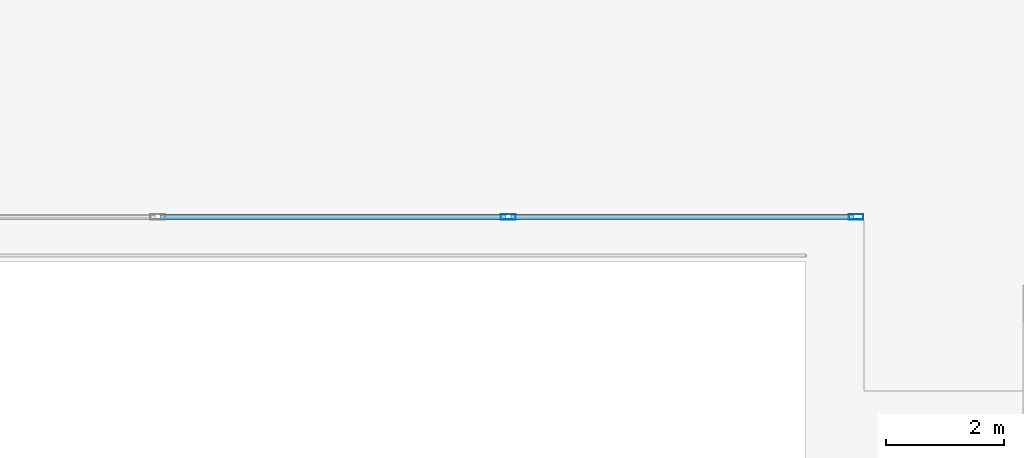
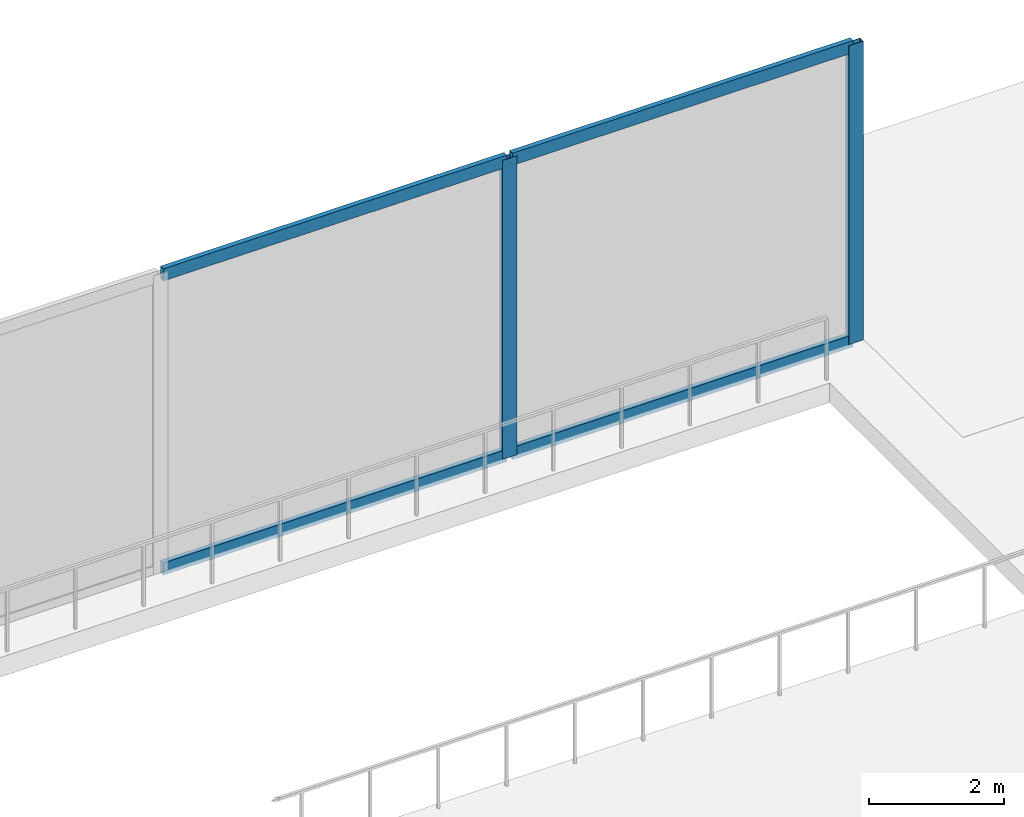
# One storey, part 16 of 27: 6 members, 1 element without a shape of its own.
"""IFC4 building model written with IfcOpenShell, lengths in metres."""

from ifc_helpers import new_model, si_unit, direction, frame, origin, origin_2d, place, context, subcontext, project, spatial, hollow_rectangle, extrude, material, layer, layer_set, material_profile, profile_set, type_object, element, aggregate, save


model = new_model("IFC4")

# Units and contexts
model_context = context("Model", 3, precision=1e-05, world=origin(), true_north=direction((0.0, 1.0)))
body_context = subcontext(model_context, "Body", "Model", "MODEL_VIEW")
ifc_project = project(units=[si_unit("LENGTHUNIT", "METRE"), si_unit("AREAUNIT", "SQUARE_METRE"), si_unit("VOLUMEUNIT", "CUBIC_METRE"), si_unit("PLANEANGLEUNIT", "RADIAN"), si_unit("MASSUNIT", "GRAM", prefix="KILO"), si_unit("THERMODYNAMICTEMPERATUREUNIT", "KELVIN"), si_unit("POWERUNIT", "WATT")], contexts=[model_context])

# Site, building, storey
site_placement = place(None, origin())
site = spatial("IfcSite", under=ifc_project, at=site_placement, CompositionType="ELEMENT")
building_placement = place(site_placement, origin())
building = spatial("IfcBuilding", under=site, at=building_placement, Name="Svarakhadi Broadcast Tower", CompositionType="ELEMENT")
storey_placement = place(building_placement, origin())
storey = spatial("IfcBuildingStorey", under=building, at=storey_placement, Name="L00", CompositionType="ELEMENT", Elevation=0.0)

# Curtain wall, members
ifc_material = material(Name="Anodised Bronze Aluminium AA 6063-T6", Category="aluminium")
ifc_layer = layer(ifc_material, 0.25)
ifc_layer_set = layer_set([ifc_layer], Name="Anodised Bronze Aluminium AA 6063-T6")
curtain_wall_type = type_object("IfcCurtainWallType", Name="CW_Sys_01", PredefinedType="NOTDEFINED", material=ifc_layer_set)
curtain_wall_placement = place(storey_placement, origin())
curtain_wall = element("IfcCurtainWall", 1, at=curtain_wall_placement, inside=storey, type_object=curtain_wall_type, Name="L00 Podium Glazed Curtain Wall 05", PredefinedType="NOTDEFINED")
ifc_material_profile_1 = material_profile(ifc_material, hollow_rectangle(XDim=0.094970703125, YDim=0.25, WallThickness=0.006103515625, at=origin_2d()), Name="ALU MULLION 250x95x6")
ifc_profile_set_1 = profile_set([ifc_material_profile_1], Name="Anodised Bronze Aluminium AA 6063-T6")
member_type_1 = type_object("IfcMemberType", Name="CW_Sys_01_Mul", PredefinedType="MULLION", material=ifc_profile_set_1)
member_1_placement = place(storey_placement, frame((53.946044921875, 47.9599609375, 0.0), z_axis=(0.0, 0.0, 1.0), x_axis=(0.0, 1.0, 0.0)))
member_1 = element("IfcMember", 2, at=member_1_placement, type_object=member_type_1, Name="CW-01 mullion 5", PredefinedType="MULLION", context=body_context, shape_type="SweptSolid", body=[
    extrude(hollow_rectangle(XDim=0.094970703125, YDim=0.25, WallThickness=0.006103515625, at=origin_2d()), origin(), (0.0, 0.0, 1.0), 5.39990234375),
])
member_2_placement = place(storey_placement, frame((59.862548828125, 47.9599609375, 0.0), z_axis=(0.0, 0.0, 1.0), x_axis=(0.0, 1.0, 0.0)))
member_2 = element("IfcMember", 3, at=member_2_placement, type_object=member_type_1, Name="CW-01 mullion 6", PredefinedType="MULLION", context=body_context, shape_type="SweptSolid", body=[
    extrude(hollow_rectangle(XDim=0.094970703125, YDim=0.25, WallThickness=0.006103515625, at=origin_2d()), origin(), (0.0, 0.0, 1.0), 5.39990234375),
])
ifc_material_profile_2 = material_profile(ifc_material, hollow_rectangle(XDim=0.0849609375, YDim=0.219970703125, WallThickness=0.0048828125, at=origin_2d()), Name="ALU TRANSOM 220x85x5")
ifc_profile_set_2 = profile_set([ifc_material_profile_2], Name="Anodised Bronze Aluminium AA 6063-T6")
member_type_2 = type_object("IfcMemberType", Name="CW_Sys_01_Trn", PredefinedType="USERDEFINED", material=ifc_profile_set_2)
member_3_placement = place(storey_placement, frame((48.029541015625, 47.9599609375, 0.04248046875), z_axis=(1.0, 0.0, 0.0), x_axis=(0.0, 1.0, 0.0)))
member_3 = element("IfcMember", 4, at=member_3_placement, type_object=member_type_2, Name="CW-01 transom 4.1", ObjectType="TRANSOM", PredefinedType="USERDEFINED", context=body_context, shape_type="SweptSolid", body=[
    extrude(hollow_rectangle(XDim=0.0849609375, YDim=0.219970703125, WallThickness=0.0048828125, at=origin_2d()), origin(), (0.0, 0.0, 1.0), 5.868896484375),
])
member_4_placement = place(storey_placement, frame((48.029541015625, 47.9599609375, 5.357421875), z_axis=(1.0, 0.0, 0.0), x_axis=(0.0, 1.0, 0.0)))
member_4 = element("IfcMember", 5, at=member_4_placement, type_object=member_type_2, Name="CW-01 transom 4.2", ObjectType="TRANSOM", PredefinedType="USERDEFINED", context=body_context, shape_type="SweptSolid", body=[
    extrude(hollow_rectangle(XDim=0.0849609375, YDim=0.219970703125, WallThickness=0.0048828125, at=origin_2d()), origin(), (0.0, 0.0, 1.0), 5.868896484375),
])
member_5_placement = place(storey_placement, frame((53.993408203125, 47.9599609375, 0.04248046875), z_axis=(1.0, 0.0, 0.0), x_axis=(0.0, 1.0, 0.0)))
member_5 = element("IfcMember", 6, at=member_5_placement, type_object=member_type_2, Name="CW-01 transom 5.1", ObjectType="TRANSOM", PredefinedType="USERDEFINED", context=body_context, shape_type="SweptSolid", body=[
    extrude(hollow_rectangle(XDim=0.0849609375, YDim=0.219970703125, WallThickness=0.0048828125, at=origin_2d()), origin(), (0.0, 0.0, 1.0), 5.821533203125),
])
member_6_placement = place(storey_placement, frame((53.993408203125, 47.9599609375, 5.357421875), z_axis=(1.0, 0.0, 0.0), x_axis=(0.0, 1.0, 0.0)))
member_6 = element("IfcMember", 7, at=member_6_placement, type_object=member_type_2, Name="CW-01 transom 5.2", ObjectType="TRANSOM", PredefinedType="USERDEFINED", context=body_context, shape_type="SweptSolid", body=[
    extrude(hollow_rectangle(XDim=0.0849609375, YDim=0.219970703125, WallThickness=0.0048828125, at=origin_2d()), origin(), (0.0, 0.0, 1.0), 5.821533203125),
])
aggregate(curtain_wall, [member_1, member_2, member_3, member_4, member_5, member_6])

save(model, "model.ifc")
